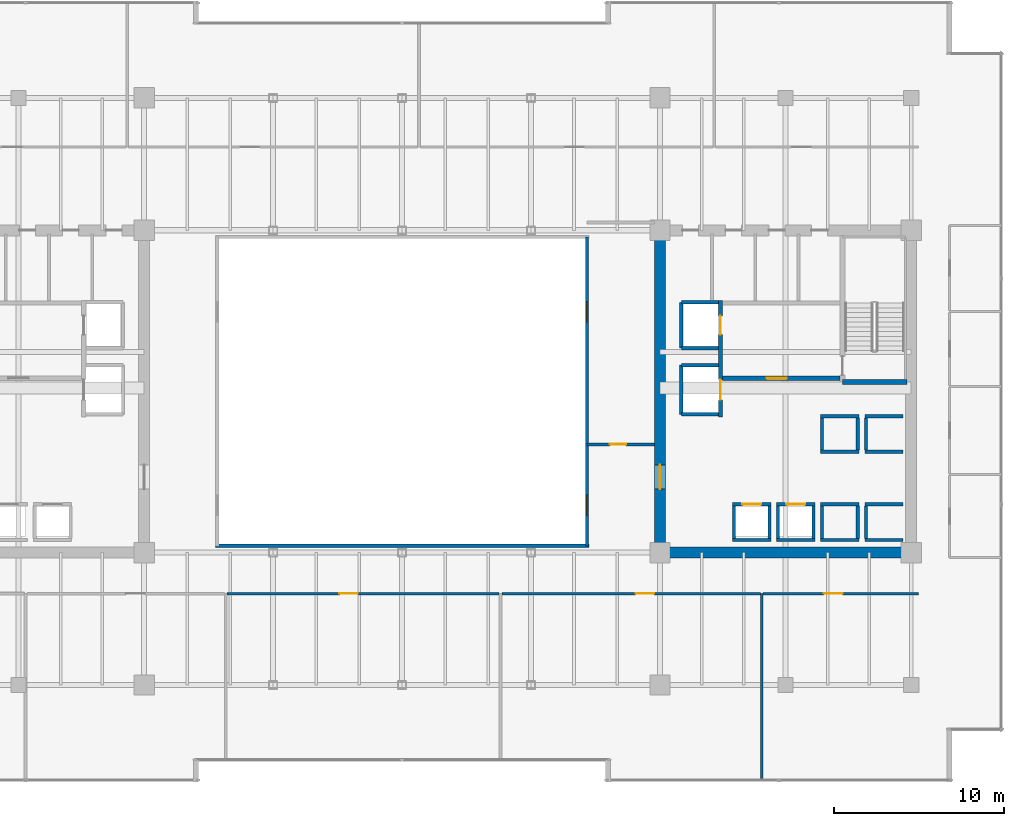
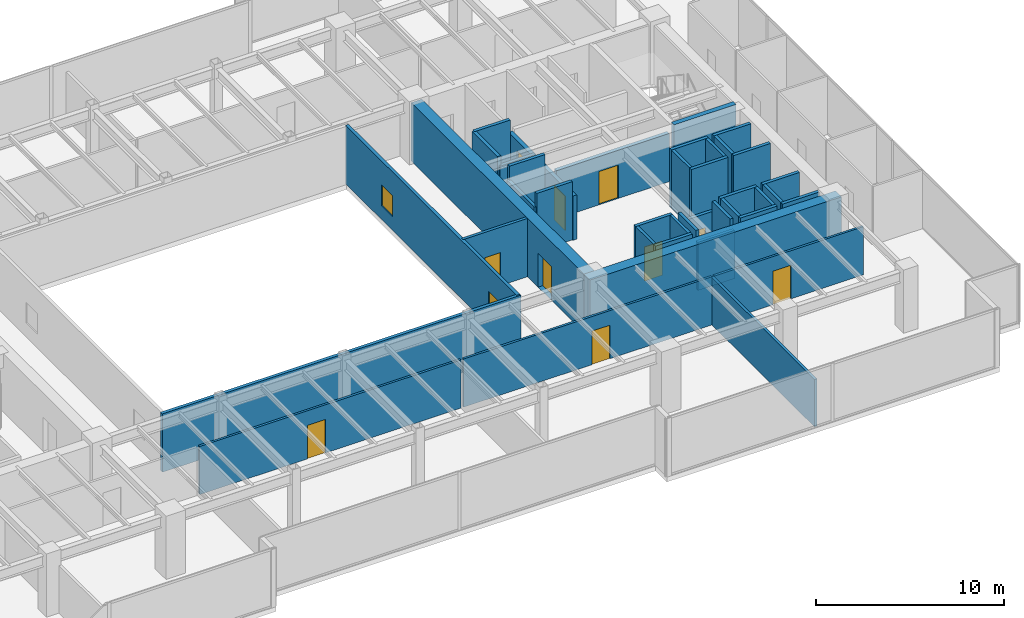
# One storey, part 26 of 30: 40 walls, 10 doors, 2 windows, 12 openings.
"""IFC4 building model written with IfcOpenShell, lengths in metres."""

from ifc_helpers import new_model, si_unit, direction, frame, frame_2d, origin, place, context, subcontext, project, spatial, rectangle, extrude, source, transform, mapped, material, layer, layer_set, type_object, type_shapes, element, fill, save


model = new_model("IFC4")

# Units and contexts
model_context = context("Model", 3, precision=1e-05, world=origin(), true_north=direction((0.0, 1.0)))
body_context = subcontext(model_context, "Body", "Model", "MODEL_VIEW")
ifc_project = project(units=[si_unit("LENGTHUNIT", "METRE"), si_unit("AREAUNIT", "SQUARE_METRE"), si_unit("VOLUMEUNIT", "CUBIC_METRE"), si_unit("PLANEANGLEUNIT", "RADIAN"), si_unit("MASSUNIT", "GRAM", prefix="KILO")], contexts=[model_context])

# Site, building, storey
site_placement = place(None, origin())
site = spatial("IfcSite", under=ifc_project, at=site_placement, CompositionType="ELEMENT")
building_placement = place(site_placement, origin())
building = spatial("IfcBuilding", under=site, at=building_placement, Name="Haelvirn Gate Laboratories", CompositionType="ELEMENT")
storey_placement = place(building_placement, frame((0.0, 0.0, 105.10009765625)))
storey = spatial("IfcBuildingStorey", under=building, at=storey_placement, Name="L25", CompositionType="ELEMENT", Elevation=105.10009765625)

# Wall
ifc_material_1 = material(Name="Double-layer acoustic gypsum laboratory partition", Category="gypsum")
ifc_layer_1 = layer(ifc_material_1, 0.159912109375, Name="IW-ACOUST-160")
ifc_layer_set_1 = layer_set([ifc_layer_1], Name="Double-layer acoustic gypsum laboratory partition")
wall_type_1 = type_object("IfcWallType", Name="IW-ACOUST-160", PredefinedType="PARTITIONING", material=ifc_layer_set_1)
wall_1_placement = place(storey_placement, frame((58.60009765625, 1.409912109375, 0.0), z_axis=(0.0, 0.0, 1.0), x_axis=(0.0, 1.0, 0.0)))
element("IfcWall", 1, at=wall_1_placement, inside=storey, type_object=wall_type_1, Name="L25 Interior Wall IW-L25-SDIV-04", PredefinedType="PARTITIONING", context=body_context, shape_type="SweptSolid", body=[
    extrude(rectangle(XDim=10.97998046875, YDim=0.159912109375, at=frame_2d((5.489990234375, 0.0))), origin(), (0.0, 0.0, 1.0), 3.074951171875),
])

# Wall, opening, door
ifc_material_2 = material(Name="Fire-rated acoustic gypsum board partition", Category="gypsum")
ifc_layer_2 = layer(ifc_material_2, 0.175048828125, Name="IW-ACOUST-180")
ifc_layer_set_2 = layer_set([ifc_layer_2], Name="Fire-rated acoustic gypsum board partition")
wall_type_2 = type_object("IfcWallType", Name="IW-ACOUST-180", PredefinedType="PARTITIONING", material=ifc_layer_set_2)
wall_2_placement = place(storey_placement, frame((48.300048828125, 21.179931640625, 0.0), z_axis=(0.0, 0.0, 1.0), x_axis=(1.0, 0.0, 0.0)))
wall_2 = element("IfcWall", 2, at=wall_2_placement, inside=storey, type_object=wall_type_2, Name="L25 Interior Wall IW-L25-ASEM-S", PredefinedType="PARTITIONING", context=body_context, shape_type="SweptSolid", body=[
    extrude(rectangle(XDim=3.974853515625, YDim=0.175048828125, at=frame_2d((1.9873046875, 0.0))), origin(), (0.0, 0.0, 1.0), 3.789794921875),
])
opening_1_placement = place(wall_2_placement, frame((1.35009765625, 0.0, 0.0)))
opening_1 = element("IfcOpeningElement", 3, at=opening_1_placement, cuts=wall_2, Name="Opening FD4", PredefinedType="OPENING", context=body_context, shape_type="SweptSolid", body=[
    extrude(rectangle(XDim=0.949951171875, YDim=2.14990234375, at=frame_2d((0.47509765625, 1.074951171875))), frame((0.0, 0.09765625, 0.0), z_axis=(0.0, -1.0, 0.0), x_axis=(1.0, 0.0, 0.0)), (0.0, 0.0, 1.0), 0.195068359375),
])
ifc_material_3 = material(Name="Fire-rated steel SM355 core service door", Category="steel")
door_type_1 = type_object("IfcDoorType", Name="DR-FD-950", OperationType="NOTDEFINED", PredefinedType="DOOR", material=ifc_material_3)
shared_shape_1 = source(origin(), body_context, "Body", "SweptSolid", [
    extrude(rectangle(XDim=0.949951171875, YDim=2.14990234375, at=frame_2d((0.47509765625, 1.074951171875))), frame((0.0, 0.02490234375, 0.0), z_axis=(0.0, -1.0, 0.0), x_axis=(1.0, 0.0, 0.0)), (0.0, 0.0, 1.0), 0.050048828125),
])
type_shapes(door_type_1, [shared_shape_1])
door_1_placement = place(opening_1_placement, origin())
door_1 = element("IfcDoor", 4, at=door_1_placement, inside=storey, type_object=door_type_1, Name="L25 Atrium Bioinformatics Suite Door", OperationType="SINGLE_SWING_LEFT", OverallHeight=2.14990234375, OverallWidth=0.949951171875, PredefinedType="DOOR", context=body_context, shape_type="MappedRepresentation", body=[
    mapped(shared_shape_1, transform((0.0, 0.0, 0.0), scale=1.0)),
])
fill(opening_1, door_1)

# Wall, openings, windows
ifc_material_4 = material(Name="Tempered fire-rated borosilicate glass & anodised aluminium", Category="aluminium")
ifc_layer_3 = layer(ifc_material_4, 0.195068359375, Name="IW-GLAZ-200")
ifc_layer_set_3 = layer_set([ifc_layer_3], Name="Tempered fire-rated borosilicate glass & anodised aluminium")
wall_type_3 = type_object("IfcWallType", Name="IW-GLAZ-200", PredefinedType="SOLIDWALL", material=ifc_layer_set_3)
wall_3_placement = place(storey_placement, frame((48.300048828125, 15.199951171875, 0.0), z_axis=(0.0, 0.0, 1.0), x_axis=(0.0, 1.0, 0.0)))
wall_3 = element("IfcWall", 5, at=wall_3_placement, inside=storey, type_object=wall_type_3, Name="L25 Interior Wall IW-L25-ATRIUM-E", PredefinedType="SOLIDWALL", context=body_context, shape_type="SweptSolid", body=[
    extrude(rectangle(XDim=18.199951171875, YDim=0.195068359375, at=frame_2d((9.10009765625, 0.0))), origin(), (0.0, 0.0, 1.0), 3.789794921875),
])
opening_2_placement = place(wall_3_placement, frame((1.800048828125, 0.0, 0.89990234375)))
opening_2 = element("IfcOpeningElement", 6, at=opening_2_placement, cuts=wall_3, Name="Opening W6", PredefinedType="OPENING", context=body_context, shape_type="SweptSolid", body=[
    extrude(rectangle(XDim=1.199951171875, YDim=1.35009765625, at=frame_2d((0.60009765625, 0.675048828125))), frame((0.0, 0.107421875, 0.0), z_axis=(0.0, -1.0, 0.0), x_axis=(1.0, 0.0, 0.0)), (0.0, 0.0, 1.0), 0.215087890625),
])
opening_3_placement = place(wall_3_placement, frame((13.199951171875, 0.0, 0.89990234375)))
opening_3 = element("IfcOpeningElement", 7, at=opening_3_placement, cuts=wall_3, Name="Opening W6", PredefinedType="OPENING", context=body_context, shape_type="SweptSolid", body=[
    extrude(rectangle(XDim=1.199951171875, YDim=1.35009765625, at=frame_2d((0.60009765625, 0.675048828125))), frame((0.0, 0.107421875, 0.0), z_axis=(0.0, -1.0, 0.0), x_axis=(1.0, 0.0, 0.0)), (0.0, 0.0, 1.0), 0.215087890625),
])
ifc_material_5 = material(Name="Fire-rated EI 120 borosilicate atrium vision glazing", Category="glass")
window_type = type_object("IfcWindowType", Name="WN-ATR-1200", PartitioningType="SINGLE_PANEL", PredefinedType="WINDOW", material=ifc_material_5)
shared_shape_2 = source(origin(), body_context, "Body", "SweptSolid", [
    extrude(rectangle(XDim=1.199951171875, YDim=1.35009765625, at=frame_2d((0.60009765625, 0.675048828125))), frame((0.0, 0.030029296875, 0.0), z_axis=(0.0, -1.0, 0.0), x_axis=(1.0, 0.0, 0.0)), (0.0, 0.0, 1.0), 0.06005859375),
])
type_shapes(window_type, [shared_shape_2])
window_1_placement = place(opening_2_placement, origin())
window_1 = element("IfcWindow", 8, at=window_1_placement, inside=storey, type_object=window_type, Name="L25 Atrium Observation Window 1", OverallHeight=1.35009765625, OverallWidth=1.199951171875, PartitioningType="SINGLE_PANEL", PredefinedType="WINDOW", context=body_context, shape_type="MappedRepresentation", body=[
    mapped(shared_shape_2, transform((0.0, 0.0, 0.0), scale=1.0)),
])
fill(opening_2, window_1)
window_2_placement = place(opening_3_placement, origin())
window_2 = element("IfcWindow", 9, at=window_2_placement, inside=storey, type_object=window_type, Name="L25 Atrium Observation Window 2", OverallHeight=1.35009765625, OverallWidth=1.199951171875, PartitioningType="SINGLE_PANEL", PredefinedType="WINDOW", context=body_context, shape_type="MappedRepresentation", body=[
    mapped(shared_shape_2, transform((0.0, 0.0, 0.0), scale=1.0)),
])
fill(opening_3, window_2)

# Wall
wall_4_placement = place(storey_placement, frame((26.39990234375, 15.199951171875, 0.0), z_axis=(0.0, 0.0, 1.0), x_axis=(1.0, 0.0, 0.0)))
element("IfcWall", 10, at=wall_4_placement, inside=storey, type_object=wall_type_3, Name="L25 Interior Wall IW-L25-ATRIUM-S", PredefinedType="SOLIDWALL", context=body_context, shape_type="SweptSolid", body=[
    extrude(rectangle(XDim=22.0, YDim=0.195068359375, at=frame_2d((11.0, 0.0))), origin(), (0.0, 0.0, 1.0), 3.789794921875),
])

# Wall, opening, door
ifc_material_6 = material(Name="Acoustic mineral-wool gypsum board partition", Category="gypsum")
ifc_layer_4 = layer(ifc_material_6, 0.139892578125, Name="IW-PART-140")
ifc_layer_set_4 = layer_set([ifc_layer_4], Name="Acoustic mineral-wool gypsum board partition")
wall_type_4 = type_object("IfcWallType", Name="IW-PART-140", PredefinedType="PARTITIONING", material=ifc_layer_set_4)
wall_5_placement = place(storey_placement, frame((27.080078125, 12.389892578125, 0.0), z_axis=(0.0, 0.0, 1.0), x_axis=(1.0, 0.0, 0.0)))
wall_5 = element("IfcWall", 11, at=wall_5_placement, inside=storey, type_object=wall_type_4, Name="L25 Interior Wall IW-L25-SCORR-03", PredefinedType="PARTITIONING", context=body_context, shape_type="SweptSolid", body=[
    extrude(rectangle(XDim=16.0400390625, YDim=0.139892578125, at=frame_2d((8.02001953125, 0.0))), origin(), (0.0, 0.0, 1.0), 3.125),
])
opening_4_placement = place(wall_5_placement, frame((6.615478515625, 0.0, 0.0)))
opening_4 = element("IfcOpeningElement", 12, at=opening_4_placement, cuts=wall_5, Name="Opening D1", PredefinedType="OPENING", context=body_context, shape_type="SweptSolid", body=[
    extrude(rectangle(XDim=1.10009765625, YDim=2.179931640625, at=frame_2d((0.550048828125, 1.08984375))), frame((0.0, 0.080078125, 0.0), z_axis=(0.0, -1.0, 0.0), x_axis=(1.0, 0.0, 0.0)), (0.0, 0.0, 1.0), 0.159912109375),
])
ifc_material_7 = material(Name="Vision-panel acoustic solid-core timber lab door", Category="wood")
door_type_2 = type_object("IfcDoorType", Name="DR-LAB-1100", OperationType="NOTDEFINED", PredefinedType="DOOR", material=ifc_material_7)
shared_shape_3 = source(origin(), body_context, "Body", "SweptSolid", [
    extrude(rectangle(XDim=1.10009765625, YDim=2.179931640625, at=frame_2d((0.550048828125, 1.08984375))), frame((0.0, 0.02490234375, 0.0), z_axis=(0.0, -1.0, 0.0), x_axis=(1.0, 0.0, 0.0)), (0.0, 0.0, 1.0), 0.050048828125),
])
type_shapes(door_type_2, [shared_shape_3])
door_2_placement = place(opening_4_placement, origin())
door_2 = element("IfcDoor", 13, at=door_2_placement, inside=storey, type_object=door_type_2, Name="L25 Postdoctoral Reading Lounge Door S3", OperationType="SINGLE_SWING_RIGHT", OverallHeight=2.179931640625, OverallWidth=1.10009765625, PredefinedType="DOOR", context=body_context, shape_type="MappedRepresentation", body=[
    mapped(shared_shape_3, transform((0.0, 0.0, 0.0), scale=1.0)),
])
fill(opening_4, door_2)

wall_6_placement = place(storey_placement, frame((43.280029296875, 12.389892578125, 0.0), z_axis=(0.0, 0.0, 1.0), x_axis=(1.0, 0.0, 0.0)))
wall_6 = element("IfcWall", 14, at=wall_6_placement, inside=storey, type_object=wall_type_4, Name="L25 Interior Wall IW-L25-SCORR-04", PredefinedType="PARTITIONING", context=body_context, shape_type="SweptSolid", body=[
    extrude(rectangle(XDim=15.239990234375, YDim=0.139892578125, at=frame_2d((7.6201171875, 0.0))), origin(), (0.0, 0.0, 1.0), 3.125),
])
opening_5_placement = place(wall_6_placement, frame((7.87646484375, 0.0, 0.0)))
opening_5 = element("IfcOpeningElement", 15, at=opening_5_placement, cuts=wall_6, Name="Opening D1", PredefinedType="OPENING", context=body_context, shape_type="SweptSolid", body=[
    extrude(rectangle(XDim=1.10009765625, YDim=2.179931640625, at=frame_2d((0.550048828125, 1.08984375))), frame((0.0, 0.080078125, 0.0), z_axis=(0.0, -1.0, 0.0), x_axis=(1.0, 0.0, 0.0)), (0.0, 0.0, 1.0), 0.159912109375),
])
door_3_placement = place(opening_5_placement, origin())
door_3 = element("IfcDoor", 16, at=door_3_placement, inside=storey, type_object=door_type_2, Name="L25 Researcher Quiet Study Door S4", OperationType="SINGLE_SWING_LEFT", OverallHeight=2.179931640625, OverallWidth=1.10009765625, PredefinedType="DOOR", context=body_context, shape_type="MappedRepresentation", body=[
    mapped(shared_shape_3, transform((0.0, 0.0, 0.0), scale=1.0)),
])
fill(opening_5, door_3)

wall_7_placement = place(storey_placement, frame((58.679931640625, 12.389892578125, 0.0), z_axis=(0.0, 0.0, 1.0), x_axis=(1.0, 0.0, 0.0)))
wall_7 = element("IfcWall", 17, at=wall_7_placement, inside=storey, type_object=wall_type_4, Name="L25 Interior Wall IW-L25-SCORR-05", PredefinedType="PARTITIONING", context=body_context, shape_type="SweptSolid", body=[
    extrude(rectangle(XDim=9.14013671875, YDim=0.139892578125, at=frame_2d((4.570068359375, 0.0))), origin(), (0.0, 0.0, 1.0), 3.125),
])
opening_6_placement = place(wall_7_placement, frame((3.57958984375, 0.0, 0.0)))
opening_6 = element("IfcOpeningElement", 18, at=opening_6_placement, cuts=wall_7, Name="Opening D1", PredefinedType="OPENING", context=body_context, shape_type="SweptSolid", body=[
    extrude(rectangle(XDim=1.10009765625, YDim=2.179931640625, at=frame_2d((0.550048828125, 1.08984375))), frame((0.0, 0.080078125, 0.0), z_axis=(0.0, -1.0, 0.0), x_axis=(1.0, 0.0, 0.0)), (0.0, 0.0, 1.0), 0.159912109375),
])
door_4_placement = place(opening_6_placement, origin())
door_4 = element("IfcDoor", 19, at=door_4_placement, inside=storey, type_object=door_type_2, Name="L25 Laser-Safety Consult Room Door S5", OperationType="SINGLE_SWING_RIGHT", OverallHeight=2.179931640625, OverallWidth=1.10009765625, PredefinedType="DOOR", context=body_context, shape_type="MappedRepresentation", body=[
    mapped(shared_shape_3, transform((0.0, 0.0, 0.0), scale=1.0)),
])
fill(opening_6, door_4)

# Walls
ifc_material_8 = material(Name="Concrete C40/50", Category="concrete")
ifc_layer_5 = layer(ifc_material_8, 0.179931640625, Name="IW-SHAFT-180")
ifc_layer_set_5 = layer_set([ifc_layer_5], Name="Concrete C40/50")
wall_type_5 = type_object("IfcWallType", Name="IW-SHAFT-180", PredefinedType="SOLIDWALL", material=ifc_layer_set_5)
for number, where, z_axis, x_axis, name in (
    (20, (64.75, 15.64990234375, 0.0), (0.0, 0.0, 1.0), (0.0, 1.0, 0.0), "L25 Interior Wall IW-L25-PL3-SD"),
    (21, (62.14990234375, 15.64990234375, 0.0), (0.0, 0.0, 1.0), (0.0, 1.0, 0.0), "L25 Interior Wall IW-L25-PL4-SD"),
    (22, (64.25, 15.64990234375, 0.0), (0.0, 0.0, 1.0), (0.0, 1.0, 0.0), "L25 Interior Wall IW-L25-PL4-SDE"),
    (23, (59.550048828125, 15.64990234375, 0.0), (0.0, 0.0, 1.0), (0.0, 1.0, 0.0), "L25 Interior Wall IW-L25-PL7-SD"),
    (24, (61.64990234375, 15.64990234375, 0.0), (0.0, 0.0, 1.0), (0.0, 1.0, 0.0), "L25 Interior Wall IW-L25-PL7-SDE"),
    (25, (56.949951171875, 15.64990234375, 0.0), (0.0, 0.0, 1.0), (0.0, 1.0, 0.0), "L25 Interior Wall IW-L25-PL8-SD"),
    (26, (59.050048828125, 15.64990234375, 0.0), (0.0, 0.0, 1.0), (0.0, 1.0, 0.0), "L25 Interior Wall IW-L25-PL8-SDE"),
):
    element("IfcWall", number, at=place(storey_placement, frame(where, z_axis=z_axis, x_axis=x_axis)), inside=storey, type_object=wall_type_5, Name=name, PredefinedType="SOLIDWALL", context=body_context, shape_type="SweptSolid", body=[
        extrude(rectangle(XDim=1.900146484375, YDim=0.179931640625, at=frame_2d((0.9501953125, 0.0))), origin(), (0.0, 0.0, 1.0), 3.789794921875),
    ])
for number, where, z_axis, x_axis, name in (
    (27, (64.75, 20.85009765625, 0.0), (0.0, 0.0, 1.0), (0.0, 1.0, 0.0), "L25 Interior Wall IW-L25-PL11-SD"),
    (28, (62.14990234375, 20.85009765625, 0.0), (0.0, 0.0, 1.0), (0.0, 1.0, 0.0), "L25 Interior Wall IW-L25-PL12-SD"),
    (29, (64.25, 20.85009765625, 0.0), (0.0, 0.0, 1.0), (0.0, 1.0, 0.0), "L25 Interior Wall IW-L25-PL12-SDE"),
):
    element("IfcWall", number, at=place(storey_placement, frame(where, z_axis=z_axis, x_axis=x_axis)), inside=storey, type_object=wall_type_5, Name=name, PredefinedType="SOLIDWALL", context=body_context, shape_type="SweptSolid", body=[
        extrude(rectangle(XDim=1.89990234375, YDim=0.179931640625, at=frame_2d((0.949951171875, 0.0))), origin(), (0.0, 0.0, 1.0), 3.789794921875),
    ])
ifc_layer_6 = layer(ifc_material_8, 0.199951171875, Name="IW-SHAFT-200")
ifc_layer_set_6 = layer_set([ifc_layer_6], Name="Concrete C40/50")
wall_type_6 = type_object("IfcWallType", Name="IW-SHAFT-200", PredefinedType="SOLIDWALL", material=ifc_layer_set_6)
for number, where, z_axis, x_axis, name in (
    (30, (64.669921875, 17.64990234375, 0.0), (0.0, 0.0, 1.0), (1.0, 0.0, 0.0), "L25 Interior Wall IW-L25-PL3-FR"),
    (31, (64.669921875, 15.550048828125, 0.0), (0.0, 0.0, 1.0), (1.0, 0.0, 0.0), "L25 Interior Wall IW-L25-PL3-BK"),
    (32, (62.070068359375, 17.64990234375, 0.0), (0.0, 0.0, 1.0), (1.0, 0.0, 0.0), "L25 Interior Wall IW-L25-PL4-FR"),
    (33, (62.070068359375, 15.550048828125, 0.0), (0.0, 0.0, 1.0), (1.0, 0.0, 0.0), "L25 Interior Wall IW-L25-PL4-BK"),
):
    element("IfcWall", number, at=place(storey_placement, frame(where, z_axis=z_axis, x_axis=x_axis)), inside=storey, type_object=wall_type_6, Name=name, PredefinedType="SOLIDWALL", context=body_context, shape_type="SweptSolid", body=[
        extrude(rectangle(XDim=2.260009765625, YDim=0.199951171875, at=frame_2d((1.1298828125, 0.0))), origin(), (0.0, 0.0, 1.0), 3.789794921875),
    ])

# Wall, opening, door
wall_8_placement = place(storey_placement, frame((59.469970703125, 17.64990234375, 0.0), z_axis=(0.0, 0.0, 1.0), x_axis=(1.0, 0.0, 0.0)))
wall_8 = element("IfcWall", 34, at=wall_8_placement, inside=storey, type_object=wall_type_6, Name="L25 Interior Wall IW-L25-PL7-FR", PredefinedType="SOLIDWALL", context=body_context, shape_type="SweptSolid", body=[
    extrude(rectangle(XDim=2.260009765625, YDim=0.199951171875, at=frame_2d((1.1298828125, 0.0))), origin(), (0.0, 0.0, 1.0), 3.125),
])
opening_7_placement = place(wall_8_placement, frame((0.580078125, 0.0, 0.0)))
opening_7 = element("IfcOpeningElement", 35, at=opening_7_placement, cuts=wall_8, Name="Opening LD2", PredefinedType="OPENING", context=body_context, shape_type="SweptSolid", body=[
    extrude(rectangle(XDim=1.10009765625, YDim=2.219970703125, at=frame_2d((0.550048828125, 1.10986328125))), frame((0.0, 0.10986328125, 0.0), z_axis=(0.0, -1.0, 0.0), x_axis=(1.0, 0.0, 0.0)), (0.0, 0.0, 1.0), 0.219970703125),
])
ifc_material_9 = material(Name="Bronze stainless 316L sliding lift landing door")
door_type_3 = type_object("IfcDoorType", Name="DR-LD-1100", OperationType="NOTDEFINED", PredefinedType="USERDEFINED", material=ifc_material_9)
shared_shape_4 = source(origin(), body_context, "Body", "SweptSolid", [
    extrude(rectangle(XDim=1.10009765625, YDim=2.219970703125, at=frame_2d((0.550048828125, 1.10986328125))), frame((0.0, 0.02490234375, 0.0), z_axis=(0.0, -1.0, 0.0), x_axis=(1.0, 0.0, 0.0)), (0.0, 0.0, 1.0), 0.050048828125),
])
type_shapes(door_type_3, [shared_shape_4])
door_5_placement = place(opening_7_placement, origin())
door_5 = element("IfcDoor", 36, at=door_5_placement, inside=storey, type_object=door_type_3, Name="L25 Passenger Lift PL7 Landing Door", ObjectType="LANDING_DOOR", OperationType="SLIDING_TO_LEFT", OverallHeight=2.219970703125, OverallWidth=1.10009765625, PredefinedType="USERDEFINED", context=body_context, shape_type="MappedRepresentation", body=[
    mapped(shared_shape_4, transform((0.0, 0.0, 0.0), scale=1.0)),
])
fill(opening_7, door_5)

# Wall
wall_9_placement = place(storey_placement, frame((59.469970703125, 15.550048828125, 0.0), z_axis=(0.0, 0.0, 1.0), x_axis=(1.0, 0.0, 0.0)))
element("IfcWall", 37, at=wall_9_placement, inside=storey, type_object=wall_type_6, Name="L25 Interior Wall IW-L25-PL7-BK", PredefinedType="SOLIDWALL", context=body_context, shape_type="SweptSolid", body=[
    extrude(rectangle(XDim=2.260009765625, YDim=0.199951171875, at=frame_2d((1.1298828125, 0.0))), origin(), (0.0, 0.0, 1.0), 3.125),
])

# Wall, opening, door
wall_10_placement = place(storey_placement, frame((56.8701171875, 17.64990234375, 0.0), z_axis=(0.0, 0.0, 1.0), x_axis=(1.0, 0.0, 0.0)))
wall_10 = element("IfcWall", 38, at=wall_10_placement, inside=storey, type_object=wall_type_6, Name="L25 Interior Wall IW-L25-PL8-FR", PredefinedType="SOLIDWALL", context=body_context, shape_type="SweptSolid", body=[
    extrude(rectangle(XDim=2.259765625, YDim=0.199951171875, at=frame_2d((1.1298828125, 0.0))), origin(), (0.0, 0.0, 1.0), 3.789794921875),
])
opening_8_placement = place(wall_10_placement, frame((0.580078125, 0.0, 0.0)))
opening_8 = element("IfcOpeningElement", 39, at=opening_8_placement, cuts=wall_10, Name="Opening LD2", PredefinedType="OPENING", context=body_context, shape_type="SweptSolid", body=[
    extrude(rectangle(XDim=1.10009765625, YDim=2.219970703125, at=frame_2d((0.550048828125, 1.10986328125))), frame((0.0, 0.10986328125, 0.0), z_axis=(0.0, -1.0, 0.0), x_axis=(1.0, 0.0, 0.0)), (0.0, 0.0, 1.0), 0.219970703125),
])
door_6_placement = place(opening_8_placement, origin())
door_6 = element("IfcDoor", 40, at=door_6_placement, inside=storey, type_object=door_type_3, Name="L25 Passenger Lift PL8 Landing Door", ObjectType="LANDING_DOOR", OperationType="SLIDING_TO_RIGHT", OverallHeight=2.219970703125, OverallWidth=1.10009765625, PredefinedType="USERDEFINED", context=body_context, shape_type="MappedRepresentation", body=[
    mapped(shared_shape_4, transform((0.0, 0.0, 0.0), scale=1.0)),
])
fill(opening_8, door_6)

# Walls
wall_11_placement = place(storey_placement, frame((56.8701171875, 15.550048828125, 0.0), z_axis=(0.0, 0.0, 1.0), x_axis=(1.0, 0.0, 0.0)))
element("IfcWall", 41, at=wall_11_placement, inside=storey, type_object=wall_type_6, Name="L25 Interior Wall IW-L25-PL8-BK", PredefinedType="SOLIDWALL", context=body_context, shape_type="SweptSolid", body=[
    extrude(rectangle(XDim=2.259765625, YDim=0.199951171875, at=frame_2d((1.1298828125, 0.0))), origin(), (0.0, 0.0, 1.0), 3.789794921875),
])
for number, where, z_axis, x_axis, name in (
    (42, (64.669921875, 20.75, 0.0), (0.0, 0.0, 1.0), (1.0, 0.0, 0.0), "L25 Interior Wall IW-L25-PL11-FR"),
    (43, (64.669921875, 22.85009765625, 0.0), (0.0, 0.0, 1.0), (1.0, 0.0, 0.0), "L25 Interior Wall IW-L25-PL11-BK"),
    (44, (62.070068359375, 20.75, 0.0), (0.0, 0.0, 1.0), (1.0, 0.0, 0.0), "L25 Interior Wall IW-L25-PL12-FR"),
    (45, (62.070068359375, 22.85009765625, 0.0), (0.0, 0.0, 1.0), (1.0, 0.0, 0.0), "L25 Interior Wall IW-L25-PL12-BK"),
):
    element("IfcWall", number, at=place(storey_placement, frame(where, z_axis=z_axis, x_axis=x_axis)), inside=storey, type_object=wall_type_6, Name=name, PredefinedType="SOLIDWALL", context=body_context, shape_type="SweptSolid", body=[
        extrude(rectangle(XDim=2.260009765625, YDim=0.199951171875, at=frame_2d((1.1298828125, 0.0))), origin(), (0.0, 0.0, 1.0), 3.789794921875),
    ])
wall_12_placement = place(storey_placement, frame((53.85009765625, 26.85009765625, 0.0), z_axis=(0.0, 0.0, 1.0), x_axis=(0.0, 1.0, 0.0)))
element("IfcWall", 46, at=wall_12_placement, inside=storey, type_object=wall_type_6, Name="L25 Interior Wall IW-L25-FL2-BK", PredefinedType="SOLIDWALL", context=body_context, shape_type="SweptSolid", body=[
    extrude(rectangle(XDim=2.699951171875, YDim=0.199951171875, at=frame_2d((1.35009765625, 0.0))), origin(), (0.0, 0.0, 1.0), 3.789794921875),
])
wall_13_placement = place(storey_placement, frame((53.85009765625, 29.550048828125, 0.0), z_axis=(0.0, 0.0, 1.0), x_axis=(1.0, 0.0, 0.0)))
element("IfcWall", 47, at=wall_13_placement, inside=storey, type_object=wall_type_6, Name="L25 Interior Wall IW-L25-FL2-N", PredefinedType="SOLIDWALL", context=body_context, shape_type="SweptSolid", body=[
    extrude(rectangle(XDim=2.18994140625, YDim=0.199951171875, at=frame_2d((1.094970703125, 0.0))), origin(), (0.0, 0.0, 1.0), 3.789794921875),
])
wall_14_placement = place(storey_placement, frame((53.85009765625, 26.85009765625, 0.0), z_axis=(0.0, 0.0, 1.0), x_axis=(1.0, 0.0, 0.0)))
element("IfcWall", 48, at=wall_14_placement, inside=storey, type_object=wall_type_6, Name="L25 Interior Wall IW-L25-FL2-S", PredefinedType="SOLIDWALL", context=body_context, shape_type="SweptSolid", body=[
    extrude(rectangle(XDim=2.18994140625, YDim=0.199951171875, at=frame_2d((1.094970703125, 0.0))), origin(), (0.0, 0.0, 1.0), 3.18701171875),
])
wall_15_placement = place(storey_placement, frame((53.85009765625, 22.949951171875, 0.0), z_axis=(0.0, 0.0, 1.0), x_axis=(0.0, 1.0, 0.0)))
element("IfcWall", 49, at=wall_15_placement, inside=storey, type_object=wall_type_6, Name="L25 Interior Wall IW-L25-SL2-BK", PredefinedType="SOLIDWALL", context=body_context, shape_type="SweptSolid", body=[
    extrude(rectangle(XDim=2.900146484375, YDim=0.199951171875, at=frame_2d((1.4501953125, 0.0))), origin(), (0.0, 0.0, 1.0), 2.875),
])
for number, where, z_axis, x_axis, name in (
    (50, (53.85009765625, 25.85009765625, 0.0), (0.0, 0.0, 1.0), (1.0, 0.0, 0.0), "L25 Interior Wall IW-L25-SL2-N"),
    (51, (53.85009765625, 22.949951171875, 0.0), (0.0, 0.0, 1.0), (1.0, 0.0, 0.0), "L25 Interior Wall IW-L25-SL2-S"),
):
    element("IfcWall", number, at=place(storey_placement, frame(where, z_axis=z_axis, x_axis=x_axis)), inside=storey, type_object=wall_type_6, Name=name, PredefinedType="SOLIDWALL", context=body_context, shape_type="SweptSolid", body=[
        extrude(rectangle(XDim=2.18994140625, YDim=0.199951171875, at=frame_2d((1.094970703125, 0.0))), origin(), (0.0, 0.0, 1.0), 3.789794921875),
    ])

# Wall, opening, door
ifc_layer_7 = layer(ifc_material_8, 0.239990234375, Name="IW-SHAFT-240")
ifc_layer_set_7 = layer_set([ifc_layer_7], Name="Concrete C40/50")
wall_type_7 = type_object("IfcWallType", Name="IW-SHAFT-240", PredefinedType="SOLIDWALL", material=ifc_layer_set_7)
wall_16_placement = place(storey_placement, frame((56.280029296875, 25.080078125, 0.0), z_axis=(0.0, 0.0, 1.0), x_axis=(1.0, 0.0, 0.0)))
wall_16 = element("IfcWall", 52, at=wall_16_placement, inside=storey, type_object=wall_type_7, Name="L25 Interior Wall IW-L25-E-FF-S", PredefinedType="SOLIDWALL", context=body_context, shape_type="SweptSolid", body=[
    extrude(rectangle(XDim=6.919921875, YDim=0.239990234375, at=frame_2d((3.4599609375, 0.0))), origin(), (0.0, 0.0, 1.0), 3.125),
])
opening_9_placement = place(wall_16_placement, frame((2.60009765625, 0.0, 0.0)))
opening_9 = element("IfcOpeningElement", 53, at=opening_9_placement, cuts=wall_16, Name="Opening FD2", PredefinedType="OPENING", context=body_context, shape_type="SweptSolid", body=[
    extrude(rectangle(XDim=1.199951171875, YDim=2.159912109375, at=frame_2d((0.60009765625, 1.080078125))), frame((0.0, 0.1298828125, 0.0), z_axis=(0.0, -1.0, 0.0), x_axis=(1.0, 0.0, 0.0)), (0.0, 0.0, 1.0), 0.260009765625),
])
ifc_material_10 = material(Name="Fire-rated steel SM355 compartment door", Category="steel")
door_type_4 = type_object("IfcDoorType", Name="DR-FD-1200", OperationType="NOTDEFINED", PredefinedType="DOOR", material=ifc_material_10)
shared_shape_5 = source(origin(), body_context, "Body", "SweptSolid", [
    extrude(rectangle(XDim=1.199951171875, YDim=2.159912109375, at=frame_2d((0.60009765625, 1.080078125))), frame((0.0, 0.02490234375, 0.0), z_axis=(0.0, -1.0, 0.0), x_axis=(1.0, 0.0, 0.0)), (0.0, 0.0, 1.0), 0.050048828125),
])
type_shapes(door_type_4, [shared_shape_5])
door_7_placement = place(opening_9_placement, origin())
door_7 = element("IfcDoor", 54, at=door_7_placement, inside=storey, type_object=door_type_4, Name="L25 East Firefighting Lobby Door", OperationType="SINGLE_SWING_LEFT", OverallHeight=2.159912109375, OverallWidth=1.199951171875, PredefinedType="DOOR", context=body_context, shape_type="MappedRepresentation", body=[
    mapped(shared_shape_5, transform((0.0, 0.0, 0.0), scale=1.0)),
])
fill(opening_9, door_7)

# Wall, openings, doors
wall_17_placement = place(storey_placement, frame((56.159912109375, 22.800048828125, 0.0), z_axis=(0.0, 0.0, 1.0), x_axis=(0.0, 1.0, 0.0)))
wall_17 = element("IfcWall", 55, at=wall_17_placement, inside=storey, type_object=wall_type_7, Name="L25 Interior Wall IW-L25-E-FF-E", PredefinedType="SOLIDWALL", context=body_context, shape_type="SweptSolid", body=[
    extrude(rectangle(XDim=6.849853515625, YDim=0.239990234375, at=frame_2d((3.4248046875, 0.0))), origin(), (0.0, 0.0, 1.0), 2.875),
])
opening_10_placement = place(wall_17_placement, frame((4.85009765625, 0.0, 0.0)))
opening_10 = element("IfcOpeningElement", 56, at=opening_10_placement, cuts=wall_17, Name="Opening LD2", PredefinedType="OPENING", context=body_context, shape_type="SweptSolid", body=[
    extrude(rectangle(XDim=1.10009765625, YDim=2.219970703125, at=frame_2d((0.550048828125, 1.10986328125))), frame((0.0, 0.1298828125, 0.0), z_axis=(0.0, -1.0, 0.0), x_axis=(1.0, 0.0, 0.0)), (0.0, 0.0, 1.0), 0.260009765625),
])
opening_11_placement = place(wall_17_placement, frame((1.0, 0.0, 0.0)))
opening_11 = element("IfcOpeningElement", 57, at=opening_11_placement, cuts=wall_17, Name="Opening LD1", PredefinedType="OPENING", context=body_context, shape_type="SweptSolid", body=[
    extrude(rectangle(XDim=1.199951171875, YDim=2.219970703125, at=frame_2d((0.60009765625, 1.10986328125))), frame((0.0, 0.1298828125, 0.0), z_axis=(0.0, -1.0, 0.0), x_axis=(1.0, 0.0, 0.0)), (0.0, 0.0, 1.0), 0.260009765625),
])
door_8_placement = place(opening_10_placement, origin())
door_8 = element("IfcDoor", 58, at=door_8_placement, inside=storey, type_object=door_type_3, Name="L25 Firefighting Lift FL2 Landing Door", ObjectType="LANDING_DOOR", OperationType="SLIDING_TO_RIGHT", OverallHeight=2.219970703125, OverallWidth=1.10009765625, PredefinedType="USERDEFINED", context=body_context, shape_type="MappedRepresentation", body=[
    mapped(shared_shape_4, transform((0.0, 0.0, 0.0), scale=1.0)),
])
fill(opening_10, door_8)
ifc_material_11 = material(Name="Stainless steel 316L sliding goods landing door", Category="steel")
door_type_5 = type_object("IfcDoorType", Name="DR-LD-1200", OperationType="NOTDEFINED", PredefinedType="USERDEFINED", material=ifc_material_11)
shared_shape_6 = source(origin(), body_context, "Body", "SweptSolid", [
    extrude(rectangle(XDim=1.199951171875, YDim=2.219970703125, at=frame_2d((0.60009765625, 1.10986328125))), frame((0.0, 0.02490234375, 0.0), z_axis=(0.0, -1.0, 0.0), x_axis=(1.0, 0.0, 0.0)), (0.0, 0.0, 1.0), 0.050048828125),
])
type_shapes(door_type_5, [shared_shape_6])
door_9_placement = place(opening_11_placement, origin())
door_9 = element("IfcDoor", 59, at=door_9_placement, inside=storey, type_object=door_type_5, Name="L25 Service Lift SL2 Landing Door", ObjectType="LANDING_DOOR", OperationType="SLIDING_TO_LEFT", OverallHeight=2.219970703125, OverallWidth=1.199951171875, PredefinedType="USERDEFINED", context=body_context, shape_type="MappedRepresentation", body=[
    mapped(shared_shape_6, transform((0.0, 0.0, 0.0), scale=1.0)),
])
fill(opening_11, door_9)

# Wall
ifc_material_12 = material(Name="Concrete C60/75", Category="concrete")
ifc_layer_8 = layer(ifc_material_12, 0.64990234375, Name="SW-CORE-650")
ifc_layer_set_8 = layer_set([ifc_layer_8], Name="Concrete C60/75")
wall_type_8 = type_object("IfcWallType", Name="SW-CORE-650", PredefinedType="SHEAR", material=ifc_layer_set_8)
wall_18_placement = place(storey_placement, frame((52.27490234375, 14.800048828125, 0.0), z_axis=(0.0, 0.0, 1.0), x_axis=(1.0, 0.0, 0.0)))
element("IfcWall", 60, at=wall_18_placement, inside=storey, type_object=wall_type_8, Name="L25 E Core Shear Wall S", PredefinedType="SHEAR", context=body_context, shape_type="SweptSolid", body=[
    extrude(rectangle(XDim=15.4501953125, YDim=0.64990234375, at=frame_2d((7.72509765625, 0.0))), origin(), (0.0, 0.0, 1.0), 3.789794921875),
])

# Wall, opening, door
wall_19_placement = place(storey_placement, frame((52.60009765625, 15.125, 0.0), z_axis=(0.0, 0.0, 1.0), x_axis=(0.0, 1.0, 0.0)))
wall_19 = element("IfcWall", 61, at=wall_19_placement, inside=storey, type_object=wall_type_8, Name="L25 E Core Shear Wall W", PredefinedType="SHEAR", context=body_context, shape_type="SweptSolid", body=[
    extrude(rectangle(XDim=18.35009765625, YDim=0.64990234375, at=frame_2d((9.175048828125, 0.0))), origin(), (0.0, 0.0, 1.0), 3.789794921875),
])
opening_12_placement = place(wall_19_placement, frame((3.425048828125, 0.0, 0.0)))
opening_12 = element("IfcOpeningElement", 62, at=opening_12_placement, cuts=wall_19, Name="Opening FD1", PredefinedType="OPENING", context=body_context, shape_type="SweptSolid", body=[
    extrude(rectangle(XDim=1.419921875, YDim=2.199951171875, at=frame_2d((0.7099609375, 1.10009765625))), frame((0.0, 0.3349609375, 0.0), z_axis=(0.0, -1.0, 0.0), x_axis=(1.0, 0.0, 0.0)), (0.0, 0.0, 1.0), 0.669921875),
])
ifc_material_13 = material(Name="Fire-rated double steel SM355 lobby door", Category="steel")
door_type_6 = type_object("IfcDoorType", Name="DR-FD-1400", OperationType="NOTDEFINED", PredefinedType="DOOR", material=ifc_material_13)
shared_shape_7 = source(origin(), body_context, "Body", "SweptSolid", [
    extrude(rectangle(XDim=1.419921875, YDim=2.199951171875, at=frame_2d((0.7099609375, 1.10009765625))), frame((0.0, 0.02490234375, 0.0), z_axis=(0.0, -1.0, 0.0), x_axis=(1.0, 0.0, 0.0)), (0.0, 0.0, 1.0), 0.050048828125),
])
type_shapes(door_type_6, [shared_shape_7])
door_10_placement = place(opening_12_placement, origin())
door_10 = element("IfcDoor", 63, at=door_10_placement, inside=storey, type_object=door_type_6, Name="L25 East Core Lift Lobby Fire Door", OperationType="DOUBLE_DOOR_SINGLE_SWING", OverallHeight=2.199951171875, OverallWidth=1.419921875, PredefinedType="DOOR", context=body_context, shape_type="MappedRepresentation", body=[
    mapped(shared_shape_7, transform((0.0, 0.0, 0.0), scale=1.0)),
])
fill(opening_12, door_10)

# Wall
ifc_material_14 = material(Name="Concrete C50/60", Category="concrete")
ifc_layer_9 = layer(ifc_material_14, 0.300048828125, Name="SW-STAIR-300")
ifc_layer_set_9 = layer_set([ifc_layer_9], Name="Concrete C50/60")
wall_type_9 = type_object("IfcWallType", Name="SW-STAIR-300", PredefinedType="SHEAR", material=ifc_layer_set_9)
wall_20_placement = place(storey_placement, frame((63.35009765625, 24.85009765625, 0.0), z_axis=(0.0, 0.0, 1.0), x_axis=(1.0, 0.0, 0.0)))
element("IfcWall", 64, at=wall_20_placement, inside=storey, type_object=wall_type_9, Name="L25 E Core Stair Shaft Structural Wall S", PredefinedType="SHEAR", context=body_context, shape_type="SweptSolid", body=[
    extrude(rectangle(XDim=3.7998046875, YDim=0.300048828125, at=frame_2d((1.89990234375, 0.0))), origin(), (0.0, 0.0, 1.0), 3.789794921875),
])

save(model, "model.ifc")
